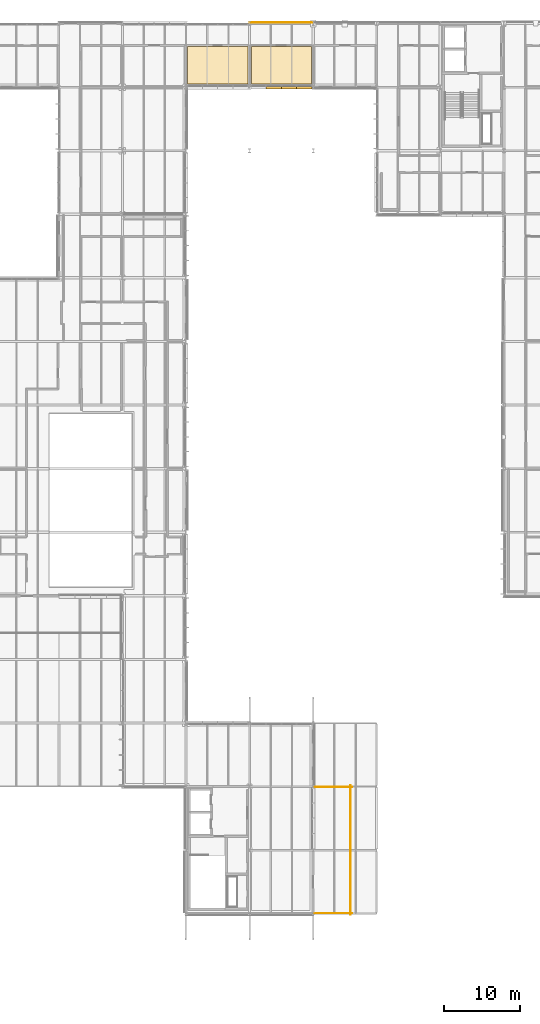
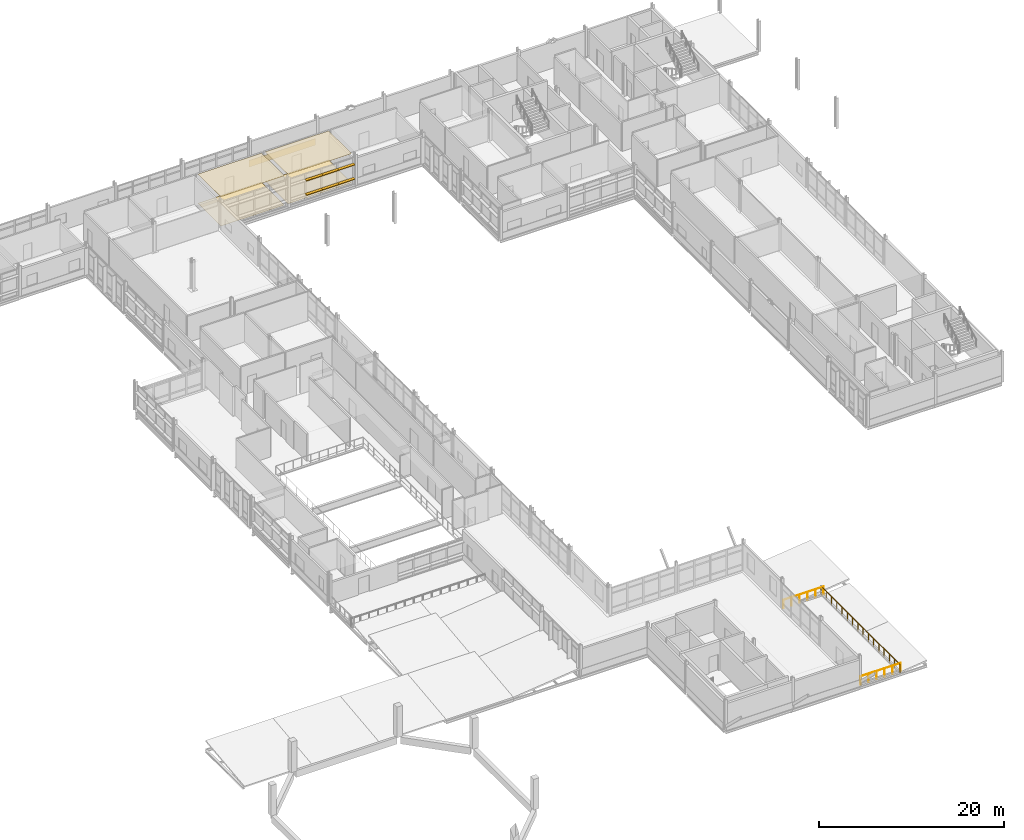
# One storey, part 126 of 131: 6 shading devices, 5 coverings, 3 railings.
"""IFC4 building model written with IfcOpenShell, lengths in metres."""

from ifc_helpers import new_model, si_unit, direction, frame, origin, origin_2d, place, context, subcontext, project, spatial, polyline, rectangle, circle, outline, extrude, material, layer, layer_set, type_object, element, save


model = new_model("IFC4")

# Units and contexts
model_context = context("Model", 3, precision=1e-05, world=origin(), true_north=direction((0.0, 1.0)))
body_context = subcontext(model_context, "Body", "Model", "MODEL_VIEW")
ifc_project = project(units=[si_unit("LENGTHUNIT", "METRE"), si_unit("AREAUNIT", "SQUARE_METRE"), si_unit("VOLUMEUNIT", "CUBIC_METRE"), si_unit("PLANEANGLEUNIT", "RADIAN"), si_unit("MASSUNIT", "GRAM", prefix="KILO")], contexts=[model_context])

# Site, building, storey
site_placement = place(None, origin())
site = spatial("IfcSite", under=ifc_project, at=site_placement, CompositionType="ELEMENT")
building_placement = place(site_placement, origin())
building = spatial("IfcBuilding", under=site, at=building_placement, Name="Mersafa Astral City Hall", CompositionType="ELEMENT")
storey_placement = place(building_placement, frame((0.0, 0.0, 13.949951171875)))
storey = spatial("IfcBuildingStorey", under=building, at=storey_placement, Name="L03", CompositionType="ELEMENT", Elevation=13.949951171875)

# Covering
ifc_material_1 = material(Name="Cairo Mokattam buff limestone cladding", Category="masonry")
ifc_layer_1 = layer(ifc_material_1, 0.06005859375, Name="Cairo Mokattam buff limestone cladding")
ifc_layer_set_1 = layer_set([ifc_layer_1], Name="Cairo Mokattam buff limestone cladding — ENV-COV-LIMESTONE-60")
covering_type_1 = type_object("IfcCoveringType", Name="ENV-COV-LIMESTONE-60", PredefinedType="CLADDING", material=ifc_layer_set_1)
covering_1_placement = place(storey_placement, frame((130.199951171875, 126.14697265625, 0.0), z_axis=(0.0, 0.0, 1.0), x_axis=(-1.0, 0.0, 0.0)))
element("IfcCovering", 1, at=covering_1_placement, inside=storey, type_object=covering_type_1, Name="L03 Cairo buff limestone rainscreen cladding 242", PredefinedType="CLADDING", context=body_context, shape_type="SweptSolid", body=[
    extrude(rectangle(XDim=8.323974609375, YDim=0.06005859375, at=origin_2d()), origin(), (0.0, 0.0, 1.0), 0.860107421875),
])

# Railings
ifc_material_2 = material(Name="Anodised bronze steel balustrade with laminated safety infill", Category="steel")
railing_type = type_object("IfcRailingType", Name="ENV-RAIL-TERRACE-1120", PredefinedType="BALUSTRADE", material=ifc_material_2)
railing_1_placement = place(storey_placement, frame((139.5400390625, 25.1298828125, 0.0)))
element("IfcRailing", 2, at=railing_1_placement, inside=storey, type_object=railing_type, Name="L03 Terrace perimeter guard balustrade 3", PredefinedType="BALUSTRADE", context=body_context, shape_type="SweptSolid", body=[
    extrude(circle(Radius=0.02392578125, at=origin_2d()), frame((0.0, 0.0, 1.09619140625), z_axis=(-1.0, 0.0, 0.0), x_axis=(0.0, -1.0, 0.0)), (0.0, 0.0, 1.0), 5.0),
    extrude(circle(Radius=0.02099609375, at=origin_2d()), origin(), (0.0, 0.0, 1.0), 1.072021484375),
    extrude(circle(Radius=0.02099609375, at=origin_2d()), frame((-1.0, 0.0, 0.0)), (0.0, 0.0, 1.0), 1.072021484375),
    extrude(circle(Radius=0.02099609375, at=origin_2d()), frame((-2.0, 0.0, 0.0)), (0.0, 0.0, 1.0), 1.072021484375),
    extrude(circle(Radius=0.02099609375, at=origin_2d()), frame((-3.0, 0.0, 0.0)), (0.0, 0.0, 1.0), 1.072021484375),
    extrude(circle(Radius=0.02099609375, at=origin_2d()), frame((-4.0, 0.0, 0.0)), (0.0, 0.0, 1.0), 1.072021484375),
    extrude(circle(Radius=0.02099609375, at=origin_2d()), frame((-5.0, 0.0, 0.0)), (0.0, 0.0, 1.0), 1.072021484375),
])
railing_2_placement = place(storey_placement, frame((134.5400390625, 8.469970703125, 0.0)))
element("IfcRailing", 3, at=railing_2_placement, inside=storey, type_object=railing_type, Name="L03 Terrace perimeter guard balustrade 4", PredefinedType="BALUSTRADE", context=body_context, shape_type="SweptSolid", body=[
    extrude(circle(Radius=0.02392578125, at=origin_2d()), frame((0.0, 0.0, 1.09619140625), z_axis=(1.0, 0.0, 0.0), x_axis=(0.0, 1.0, 0.0)), (0.0, 0.0, 1.0), 5.0),
    extrude(circle(Radius=0.02099609375, at=origin_2d()), origin(), (0.0, 0.0, 1.0), 1.072021484375),
    extrude(circle(Radius=0.02099609375, at=origin_2d()), frame((1.0, 0.0, 0.0)), (0.0, 0.0, 1.0), 1.072021484375),
    extrude(circle(Radius=0.02099609375, at=origin_2d()), frame((2.0, 0.0, 0.0)), (0.0, 0.0, 1.0), 1.072021484375),
    extrude(circle(Radius=0.02099609375, at=origin_2d()), frame((3.0, 0.0, 0.0)), (0.0, 0.0, 1.0), 1.072021484375),
    extrude(circle(Radius=0.02099609375, at=origin_2d()), frame((4.0, 0.0, 0.0)), (0.0, 0.0, 1.0), 1.072021484375),
    extrude(circle(Radius=0.02099609375, at=origin_2d()), frame((5.0, 0.0, 0.0)), (0.0, 0.0, 1.0), 1.072021484375),
])
railing_3_placement = place(storey_placement, frame((139.330078125, 8.260009765625, 0.0)))
element("IfcRailing", 4, at=railing_3_placement, inside=storey, type_object=railing_type, Name="L03 Terrace perimeter guard balustrade 5", PredefinedType="BALUSTRADE", context=body_context, shape_type="SweptSolid", body=[
    extrude(circle(Radius=0.02392578125, at=origin_2d()), frame((0.0, 0.0, 1.09619140625), z_axis=(0.0, 1.0, 0.0), x_axis=(-1.0, 0.0, 0.0)), (0.0, 0.0, 1.0), 17.080078125),
    extrude(circle(Radius=0.02099609375, at=origin_2d()), origin(), (0.0, 0.0, 1.0), 1.072021484375),
    extrude(circle(Radius=0.02099609375, at=origin_2d()), frame((0.0, 1.138671875, 0.0)), (0.0, 0.0, 1.0), 1.072021484375),
    extrude(circle(Radius=0.02099609375, at=origin_2d()), frame((0.0, 2.27734375, 0.0)), (0.0, 0.0, 1.0), 1.072021484375),
    extrude(circle(Radius=0.02099609375, at=origin_2d()), frame((0.0, 3.416015625, 0.0)), (0.0, 0.0, 1.0), 1.072021484375),
    extrude(circle(Radius=0.02099609375, at=origin_2d()), frame((0.0, 4.5546875, 0.0)), (0.0, 0.0, 1.0), 1.072021484375),
    extrude(circle(Radius=0.02099609375, at=origin_2d()), frame((0.0, 5.693359375, 0.0)), (0.0, 0.0, 1.0), 1.072021484375),
    extrude(circle(Radius=0.02099609375, at=origin_2d()), frame((0.0, 6.83203125, 0.0)), (0.0, 0.0, 1.0), 1.072021484375),
    extrude(circle(Radius=0.02099609375, at=origin_2d()), frame((0.0, 7.970703125, 0.0)), (0.0, 0.0, 1.0), 1.072021484375),
    extrude(circle(Radius=0.02099609375, at=origin_2d()), frame((0.0, 9.109375, 0.0)), (0.0, 0.0, 1.0), 1.072021484375),
    extrude(circle(Radius=0.02099609375, at=origin_2d()), frame((0.0, 10.248046875, 0.0)), (0.0, 0.0, 1.0), 1.072021484375),
    extrude(circle(Radius=0.02099609375, at=origin_2d()), frame((0.0, 11.38671875, 0.0)), (0.0, 0.0, 1.0), 1.072021484375),
    extrude(circle(Radius=0.02099609375, at=origin_2d()), frame((0.0, 12.525390625, 0.0)), (0.0, 0.0, 1.0), 1.072021484375),
    extrude(circle(Radius=0.02099609375, at=origin_2d()), frame((0.0, 13.6640625, 0.0)), (0.0, 0.0, 1.0), 1.072021484375),
    extrude(circle(Radius=0.02099609375, at=origin_2d()), frame((0.0, 14.802734375, 0.0)), (0.0, 0.0, 1.0), 1.072021484375),
    extrude(circle(Radius=0.02099609375, at=origin_2d()), frame((0.0, 15.94140625, 0.0)), (0.0, 0.0, 1.0), 1.072021484375),
    extrude(circle(Radius=0.02099609375, at=origin_2d()), frame((0.0, 17.080078125, 0.0)), (0.0, 0.0, 1.0), 1.072021484375),
])

# Shading devices
ifc_material_3 = material(Name="Kiln-dried cedar timber brise-soleil blade", Category="wood")
shading_device_type = type_object("IfcShadingDeviceType", Name="ENV-SHD-LOUVRE-380", PredefinedType="JALOUSIE", material=ifc_material_3)
for number, where, z_axis, x_axis, name in (
    (5, (129.1904296875, 117.52001953125, 0.81494140625), (0.0, 0.0, 1.0), (1.0, 0.0, 0.0), "L03 Horizontal cedar brise-soleil louvre 1016"),
    (6, (131.20947265625, 117.52001953125, 0.81494140625), (0.0, 0.0, 1.0), (1.0, 0.0, 0.0), "L03 Horizontal cedar brise-soleil louvre 1017"),
):
    element("IfcShadingDevice", number, at=place(storey_placement, frame(where, z_axis=z_axis, x_axis=x_axis)), inside=storey, type_object=shading_device_type, Name=name, PredefinedType="JALOUSIE", context=body_context, shape_type="SweptSolid", body=[
        extrude(rectangle(XDim=2.05908203125, YDim=0.3798828125, at=origin_2d()), origin(), (0.0, 0.0, 1.0), 0.070068359375),
    ])
shading_device_1_placement = place(storey_placement, frame((133.21337890625, 117.52001953125, 0.81494140625), z_axis=(0.0, 0.0, 1.0), x_axis=(1.0, 0.0, 0.0)))
element("IfcShadingDevice", 7, at=shading_device_1_placement, inside=storey, type_object=shading_device_type, Name="L03 Horizontal cedar brise-soleil louvre 1018", PredefinedType="JALOUSIE", context=body_context, shape_type="SweptSolid", body=[
    extrude(rectangle(XDim=2.029052734375, YDim=0.3798828125, at=origin_2d()), origin(), (0.0, 0.0, 1.0), 0.070068359375),
])
for number, where, z_axis, x_axis, name in (
    (8, (129.1904296875, 117.52001953125, 2.71484375), (0.0, 0.0, 1.0), (1.0, 0.0, 0.0), "L03 Horizontal cedar brise-soleil louvre 1020"),
    (9, (131.20947265625, 117.52001953125, 2.71484375), (0.0, 0.0, 1.0), (1.0, 0.0, 0.0), "L03 Horizontal cedar brise-soleil louvre 1021"),
):
    element("IfcShadingDevice", number, at=place(storey_placement, frame(where, z_axis=z_axis, x_axis=x_axis)), inside=storey, type_object=shading_device_type, Name=name, PredefinedType="JALOUSIE", context=body_context, shape_type="SweptSolid", body=[
        extrude(rectangle(XDim=2.05908203125, YDim=0.3798828125, at=origin_2d()), origin(), (0.0, 0.0, 1.0), 0.070068359375),
    ])
shading_device_2_placement = place(storey_placement, frame((133.21337890625, 117.52001953125, 2.71484375), z_axis=(0.0, 0.0, 1.0), x_axis=(1.0, 0.0, 0.0)))
element("IfcShadingDevice", 10, at=shading_device_2_placement, inside=storey, type_object=shading_device_type, Name="L03 Horizontal cedar brise-soleil louvre 1022", PredefinedType="JALOUSIE", context=body_context, shape_type="SweptSolid", body=[
    extrude(rectangle(XDim=2.029052734375, YDim=0.3798828125, at=origin_2d()), origin(), (0.0, 0.0, 1.0), 0.070068359375),
])

# Coverings
ifc_material_4 = material(Name="Perforated acoustic gypsum board ceiling", Category="gypsum")
ifc_layer_2 = layer(ifc_material_4, 0.02490234375, Name="Perforated acoustic gypsum board ceiling")
ifc_layer_set_2 = layer_set([ifc_layer_2], Name="Perforated acoustic gypsum board ceiling — INT-COV-CEIL-25")
covering_type_2 = type_object("IfcCoveringType", Name="INT-COV-CEIL-25", PredefinedType="CEILING", material=ifc_layer_set_2)
covering_2_placement = place(storey_placement, frame((0.0, 0.0, 3.845947265625)))
element("IfcCovering", 11, at=covering_2_placement, inside=storey, type_object=covering_type_2, Name="L03 Urban Planning Studio L03-20 acoustic ceiling", PredefinedType="CEILING", context=body_context, shape_type="SweptSolid", body=[
    extrude(outline(polyline([(125.77001953125, 122.9599609375), (125.77001953125, 118.02001953125), (125.580078125, 118.02001953125), (125.580078125, 118.0), (118.02001953125, 118.0), (118.02001953125, 118.02001953125), (117.830078125, 118.02001953125), (117.830078125, 122.9599609375), (125.77001953125, 122.9599609375)])), origin(), (0.0, 0.0, 1.0), 0.025146484375),
])
covering_3_placement = place(storey_placement, frame((0.0, 0.0, 3.845947265625)))
element("IfcCovering", 12, at=covering_3_placement, inside=storey, type_object=covering_type_2, Name="L03 Civil Engineering Directorate Office L03-21 acoustic ceiling", PredefinedType="CEILING", context=body_context, shape_type="SweptSolid", body=[
    extrude(outline(polyline([(134.169921875, 122.9599609375), (134.169921875, 118.02001953125), (133.97998046875, 118.02001953125), (133.97998046875, 118.0), (126.419921875, 118.0), (126.419921875, 118.02001953125), (126.22998046875, 118.02001953125), (126.22998046875, 122.9599609375), (134.169921875, 122.9599609375)])), origin(), (0.0, 0.0, 1.0), 0.025146484375),
])
ifc_material_5 = material(Name="Heavy-duty woven acoustic carpet tile", Category="finish")
ifc_layer_3 = layer(ifc_material_5, 0.014892578125, Name="Heavy-duty woven acoustic carpet tile")
ifc_layer_set_3 = layer_set([ifc_layer_3], Name="Heavy-duty woven acoustic carpet tile — INT-COV-FLR-15")
covering_type_3 = type_object("IfcCoveringType", Name="INT-COV-FLR-15", PredefinedType="FLOORING", material=ifc_layer_set_3)
covering_4_placement = place(storey_placement, frame((0.0, 0.0, -0.00146484375)))
element("IfcCovering", 13, at=covering_4_placement, inside=storey, type_object=covering_type_3, Name="L03 Urban Planning Studio L03-20 architectural flooring", PredefinedType="FLOORING", context=body_context, shape_type="SweptSolid", body=[
    extrude(outline(polyline([(125.77001953125, 122.9599609375), (125.77001953125, 118.02001953125), (125.580078125, 118.02001953125), (125.580078125, 118.0), (118.02001953125, 118.0), (118.02001953125, 118.02001953125), (117.830078125, 118.02001953125), (117.830078125, 122.9599609375), (125.77001953125, 122.9599609375)])), origin(), (0.0, 0.0, 1.0), 0.014892578125),
])
covering_5_placement = place(storey_placement, frame((0.0, 0.0, -0.00146484375)))
element("IfcCovering", 14, at=covering_5_placement, inside=storey, type_object=covering_type_3, Name="L03 Civil Engineering Directorate Office L03-21 architectural flooring", PredefinedType="FLOORING", context=body_context, shape_type="SweptSolid", body=[
    extrude(outline(polyline([(134.169921875, 122.9599609375), (134.169921875, 118.02001953125), (133.97998046875, 118.02001953125), (133.97998046875, 118.0), (126.419921875, 118.0), (126.419921875, 118.02001953125), (126.22998046875, 118.02001953125), (126.22998046875, 122.9599609375), (134.169921875, 122.9599609375)])), origin(), (0.0, 0.0, 1.0), 0.014892578125),
])

save(model, "model.ifc")
